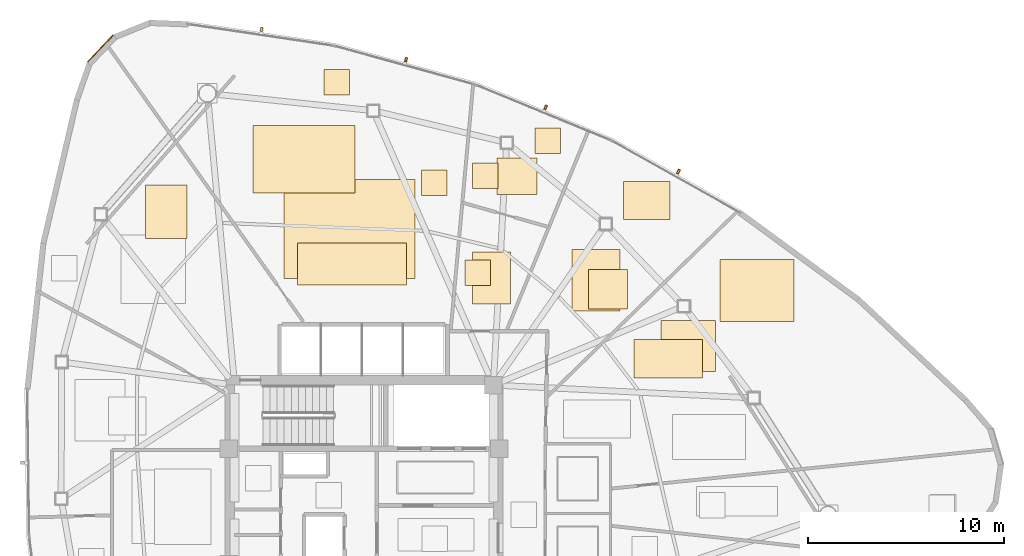
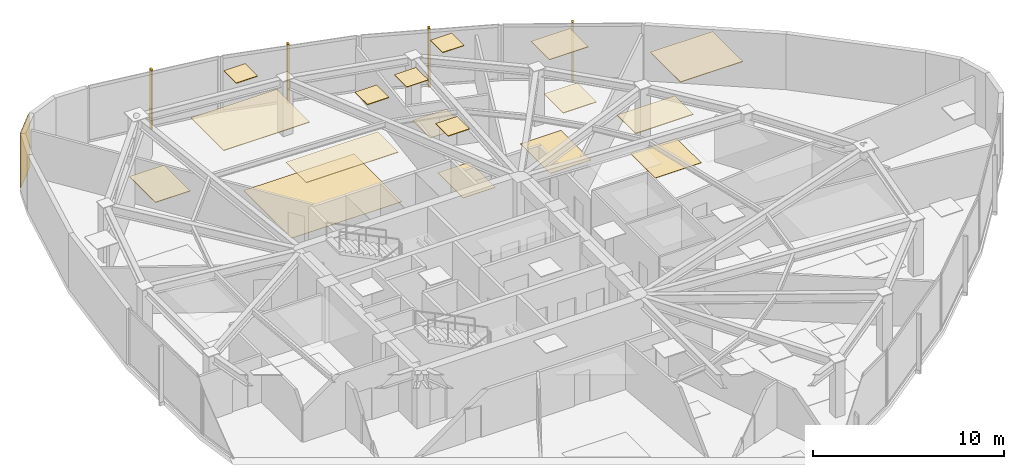
# One storey, part 18 of 18: 18 coverings, 4 shading devices.
"""IFC4 building model written with IfcOpenShell, lengths in metres."""

from ifc_helpers import new_model, si_unit, direction, frame, origin, origin_2d, place, context, subcontext, project, spatial, polyline, rectangle, outline, extrude, source, transform, mapped, material, layer, layer_set, type_object, type_shapes, element, save


model = new_model("IFC4")

# Units and contexts
model_context = context("Model", 3, precision=1e-05, world=origin(), true_north=direction((0.0, 1.0)))
body_context = subcontext(model_context, "Body", "Model", "MODEL_VIEW")
ifc_project = project(units=[si_unit("LENGTHUNIT", "METRE"), si_unit("AREAUNIT", "SQUARE_METRE"), si_unit("VOLUMEUNIT", "CUBIC_METRE"), si_unit("PLANEANGLEUNIT", "RADIAN"), si_unit("MASSUNIT", "GRAM", prefix="KILO")], contexts=[model_context])

# Site, building, storey
site_placement = place(None, origin())
site = spatial("IfcSite", under=ifc_project, at=site_placement, CompositionType="ELEMENT")
building_placement = place(site_placement, origin())
building = spatial("IfcBuilding", under=site, at=building_placement, Name="Tavelor Broadcast Tower", CompositionType="ELEMENT")
storey_placement = place(building_placement, frame((0.0, 0.0, 177.199951171875)))
storey = spatial("IfcBuildingStorey", under=building, at=storey_placement, Name="L42", CompositionType="ELEMENT", Elevation=177.199951171875)

# Coverings
ifc_material_1 = material(Name="Copper-Bronze Anodized Aluminium", Category="aluminium")
ifc_layer_1 = layer(ifc_material_1, 0.050048828125)
ifc_layer_set_1 = layer_set([ifc_layer_1], Name="Copper-Bronze Anodized Aluminium")
covering_type_1 = type_object("IfcCoveringType", Name="Champagne-Bronze Corner Pier Metal Cladding 50 mm", PredefinedType="CLADDING", material=ifc_layer_set_1)
covering_1_placement = place(storey_placement, frame((36.548828125, 68.37158203125, 0.02001953125), z_axis=(0.0, 0.0, 1.0), x_axis=(-0.690251240234, -0.723569779188, 0.0)))
element("IfcCovering", 1, at=covering_1_placement, inside=storey, type_object=covering_type_1, Name="L42 Champagne-Bronze Corner Cladding 03", PredefinedType="CLADDING", context=body_context, shape_type="SweptSolid", body=[
    extrude(rectangle(XDim=1.876220703125, YDim=0.050048828125, at=origin_2d()), origin(), (0.0, 0.0, 1.0), 3.510009765625),
])
ifc_material_2 = material(Name="Acoustic Nylon Carpet Tile")
ifc_layer_2 = layer(ifc_material_2, 0.02001953125)
ifc_layer_set_2 = layer_set([ifc_layer_2], Name="Acoustic Nylon Carpet Tile")
covering_type_2 = type_object("IfcCoveringType", Name="Heavy-Duty Acoustic Broadcast Carpet Tile 20 mm", PredefinedType="FLOORING", material=ifc_layer_set_2)
covering_2_placement = place(storey_placement, origin())
element("IfcCovering", 2, at=covering_2_placement, inside=storey, type_object=covering_type_2, Name="L42 Broadcast Floor Finish 0625", PredefinedType="FLOORING", context=body_context, shape_type="SweptSolid", body=[
    extrude(outline(polyline([(45.91796875, 56.648193359375), (52.59912109375, 56.648193359375), (52.59912109375, 61.678466796875), (45.91796875, 61.678466796875), (45.91796875, 56.648193359375)])), origin(), (0.0, 0.0, 1.0), 0.02001953125),
])
covering_3_placement = place(storey_placement, origin())
element("IfcCovering", 3, at=covering_3_placement, inside=storey, type_object=covering_type_2, Name="L42 Broadcast Floor Finish 0626", PredefinedType="FLOORING", context=body_context, shape_type="SweptSolid", body=[
    extrude(outline(polyline([(56.779541015625, 60.932373046875), (58.8388671875, 60.932373046875), (58.8388671875, 62.79638671875), (56.779541015625, 62.79638671875), (56.779541015625, 60.932373046875)])), origin(), (0.0, 0.0, 1.0), 0.02001953125),
])
covering_4_placement = place(storey_placement, origin())
element("IfcCovering", 4, at=covering_4_placement, inside=storey, type_object=covering_type_2, Name="L42 Broadcast Floor Finish 0627", PredefinedType="FLOORING", context=body_context, shape_type="SweptSolid", body=[
    extrude(outline(polyline([(60.606201171875, 54.987548828125), (63.064453125, 54.987548828125), (63.064453125, 58.12353515625), (60.606201171875, 58.12353515625), (60.606201171875, 54.987548828125)])), origin(), (0.0, 0.0, 1.0), 0.02001953125),
])
covering_5_placement = place(storey_placement, origin())
element("IfcCovering", 5, at=covering_5_placement, inside=storey, type_object=covering_type_2, Name="L42 Broadcast Floor Finish 0628", PredefinedType="FLOORING", context=body_context, shape_type="SweptSolid", body=[
    extrude(outline(polyline([(65.159423828125, 51.88720703125), (67.94091796875, 51.88720703125), (67.94091796875, 54.486328125), (65.159423828125, 54.486328125), (65.159423828125, 51.88720703125)])), origin(), (0.0, 0.0, 1.0), 0.02001953125),
])
covering_6_placement = place(storey_placement, origin())
element("IfcCovering", 6, at=covering_6_placement, inside=storey, type_object=covering_type_2, Name="L42 Broadcast Floor Finish 0633", PredefinedType="FLOORING", context=body_context, shape_type="SweptSolid", body=[
    extrude(outline(polyline([(55.53271484375, 55.328125), (57.483154296875, 55.328125), (57.483154296875, 58.003662109375), (55.53271484375, 58.003662109375), (55.53271484375, 55.328125)])), origin(), (0.0, 0.0, 1.0), 0.02001953125),
])
ifc_material_3 = material(Name="Acoustic Mineral Fibre Tile")
ifc_layer_3 = layer(ifc_material_3, 0.0400390625)
ifc_layer_set_3 = layer_set([ifc_layer_3], Name="Acoustic Mineral Fibre Tile")
covering_type_3 = type_object("IfcCoveringType", Name="Suspended Acoustic Mineral-Fibre Office Ceiling 40 mm", PredefinedType="CEILING", material=ifc_layer_set_3)
covering_7_placement = place(storey_placement, frame((0.0, 0.0, 3.510009765625)))
element("IfcCovering", 7, at=covering_7_placement, inside=storey, type_object=covering_type_3, Name="L42 Suspended Acoustic Ceiling 1757", PredefinedType="CEILING", context=body_context, shape_type="SweptSolid", body=[
    extrude(outline(polyline([(38.86083984375, 58.68115234375), (40.9658203125, 58.68115234375), (40.9658203125, 61.410400390625), (38.86083984375, 61.410400390625), (38.86083984375, 58.68115234375)])), origin(), (0.0, 0.0, 1.0), 0.0400390625),
])
covering_8_placement = place(storey_placement, frame((0.0, 0.0, 3.510009765625)))
element("IfcCovering", 8, at=covering_8_placement, inside=storey, type_object=covering_type_3, Name="L42 Suspended Acoustic Ceiling 1758", PredefinedType="CEILING", context=body_context, shape_type="SweptSolid", body=[
    extrude(outline(polyline([(47.97119140625, 66.0), (49.271240234375, 66.0), (49.271240234375, 67.300048828125), (47.97119140625, 67.300048828125), (47.97119140625, 66.0)])), origin(), (0.0, 0.0, 1.0), 0.0400390625),
])
covering_9_placement = place(storey_placement, frame((0.0, 0.0, 3.510009765625)))
element("IfcCovering", 9, at=covering_9_placement, inside=storey, type_object=covering_type_3, Name="L42 Suspended Acoustic Ceiling 1759", PredefinedType="CEILING", context=body_context, shape_type="SweptSolid", body=[
    extrude(outline(polyline([(52.942626953125, 60.87060546875), (54.24267578125, 60.87060546875), (54.24267578125, 62.170654296875), (52.942626953125, 62.170654296875), (52.942626953125, 60.87060546875)])), origin(), (0.0, 0.0, 1.0), 0.0400390625),
])
covering_10_placement = place(storey_placement, frame((0.0, 0.0, 3.510009765625)))
element("IfcCovering", 10, at=covering_10_placement, inside=storey, type_object=covering_type_3, Name="L42 Suspended Acoustic Ceiling 1760", PredefinedType="CEILING", context=body_context, shape_type="SweptSolid", body=[
    extrude(outline(polyline([(46.611328125, 56.301025390625), (52.16796875, 56.301025390625), (52.16796875, 58.44970703125), (46.611328125, 58.44970703125), (46.611328125, 56.301025390625)])), origin(), (0.0, 0.0, 1.0), 0.0400390625),
])
covering_11_placement = place(storey_placement, frame((0.0, 0.0, 3.510009765625)))
element("IfcCovering", 11, at=covering_11_placement, inside=storey, type_object=covering_type_3, Name="L42 Suspended Acoustic Ceiling 1761", PredefinedType="CEILING", context=body_context, shape_type="SweptSolid", body=[
    extrude(outline(polyline([(44.328857421875, 60.99951171875), (49.534912109375, 60.99951171875), (49.534912109375, 64.4462890625), (44.328857421875, 64.4462890625), (44.328857421875, 60.99951171875)])), origin(), (0.0, 0.0, 1.0), 0.0400390625),
])
covering_12_placement = place(storey_placement, frame((0.0, 0.0, 3.510009765625)))
element("IfcCovering", 12, at=covering_12_placement, inside=storey, type_object=covering_type_3, Name="L42 Suspended Acoustic Ceiling 1762", PredefinedType="CEILING", context=body_context, shape_type="SweptSolid", body=[
    extrude(outline(polyline([(55.527099609375, 61.2255859375), (56.8271484375, 61.2255859375), (56.8271484375, 62.525390625), (55.527099609375, 62.525390625), (55.527099609375, 61.2255859375)])), origin(), (0.0, 0.0, 1.0), 0.0400390625),
])
covering_13_placement = place(storey_placement, frame((0.0, 0.0, 3.510009765625)))
element("IfcCovering", 13, at=covering_13_placement, inside=storey, type_object=covering_type_3, Name="L42 Suspended Acoustic Ceiling 1763", PredefinedType="CEILING", context=body_context, shape_type="SweptSolid", body=[
    extrude(outline(polyline([(58.7294921875, 63.011962890625), (60.029296875, 63.011962890625), (60.029296875, 64.31201171875), (58.7294921875, 64.31201171875), (58.7294921875, 63.011962890625)])), origin(), (0.0, 0.0, 1.0), 0.0400390625),
])
covering_14_placement = place(storey_placement, frame((0.0, 0.0, 3.510009765625)))
element("IfcCovering", 14, at=covering_14_placement, inside=storey, type_object=covering_type_3, Name="L42 Suspended Acoustic Ceiling 1764", PredefinedType="CEILING", context=body_context, shape_type="SweptSolid", body=[
    extrude(outline(polyline([(63.2421875, 59.655517578125), (65.604248046875, 59.655517578125), (65.604248046875, 61.58837890625), (63.2421875, 61.58837890625), (63.2421875, 59.655517578125)])), origin(), (0.0, 0.0, 1.0), 0.0400390625),
])
covering_15_placement = place(storey_placement, frame((0.0, 0.0, 3.510009765625)))
element("IfcCovering", 15, at=covering_15_placement, inside=storey, type_object=covering_type_3, Name="L42 Suspended Acoustic Ceiling 1765", PredefinedType="CEILING", context=body_context, shape_type="SweptSolid", body=[
    extrude(outline(polyline([(61.44189453125, 55.076904296875), (63.4501953125, 55.076904296875), (63.4501953125, 57.08984375), (61.44189453125, 57.08984375), (61.44189453125, 55.076904296875)])), origin(), (0.0, 0.0, 1.0), 0.0400390625),
])
covering_16_placement = place(storey_placement, frame((0.0, 0.0, 3.510009765625)))
element("IfcCovering", 16, at=covering_16_placement, inside=storey, type_object=covering_type_3, Name="L42 Suspended Acoustic Ceiling 1767", PredefinedType="CEILING", context=body_context, shape_type="SweptSolid", body=[
    extrude(outline(polyline([(63.7802734375, 51.56298828125), (67.27490234375, 51.56298828125), (67.27490234375, 53.514404296875), (63.7802734375, 53.514404296875), (63.7802734375, 51.56298828125)])), origin(), (0.0, 0.0, 1.0), 0.0400390625),
])
covering_17_placement = place(storey_placement, frame((0.0, 0.0, 3.510009765625)))
element("IfcCovering", 17, at=covering_17_placement, inside=storey, type_object=covering_type_3, Name="L42 Suspended Acoustic Ceiling 1768", PredefinedType="CEILING", context=body_context, shape_type="SweptSolid", body=[
    extrude(outline(polyline([(68.16455078125, 54.45166015625), (71.93359375, 54.45166015625), (71.93359375, 57.609130859375), (68.16455078125, 57.609130859375), (68.16455078125, 54.45166015625)])), origin(), (0.0, 0.0, 1.0), 0.0400390625),
])
covering_18_placement = place(storey_placement, frame((0.0, 0.0, 3.510009765625)))
element("IfcCovering", 18, at=covering_18_placement, inside=storey, type_object=covering_type_3, Name="L42 Suspended Acoustic Ceiling 1780", PredefinedType="CEILING", context=body_context, shape_type="SweptSolid", body=[
    extrude(outline(polyline([(55.165283203125, 56.272705078125), (56.46533203125, 56.272705078125), (56.46533203125, 57.572509765625), (55.165283203125, 57.572509765625), (55.165283203125, 56.272705078125)])), origin(), (0.0, 0.0, 1.0), 0.0400390625),
])

# Shading devices
ifc_material_4 = material(Name="Kiln-Fired Glazed Terracotta", Category="masonry")
shading_device_type = type_object("IfcShadingDeviceType", Name="Extruded Terracotta Baguette Sun-Screen 110x240", PredefinedType="JALOUSIE", material=ifc_material_4)
shared_shape = source(origin(), body_context, "Body", "SweptSolid", [
    extrude(rectangle(XDim=0.110107421875, YDim=0.239990234375, at=origin_2d()), origin(), (0.0, 0.0, 1.0), 3.7900390625),
])
type_shapes(shading_device_type, [shared_shape])
for number, where, z_axis, x_axis, name in (
    (19, (66.0458984375, 62.098388671875, -0.260009765625), (0.0, 0.0, 1.0), (-0.872240046001, 0.489078012338, 0.0), "L42 Terracotta Baguette Fin 441"),
    (20, (59.26904296875, 65.374267578125, -0.260009765625), (0.0, 0.0, 1.0), (-0.925077206834, 0.379779095522, 0.0), "L42 Terracotta Baguette Fin 442"),
    (21, (52.145751953125, 67.805908203125, -0.260009765625), (0.0, 0.0, 1.0), (-0.96423431693, 0.265051281935, 0.0), "L42 Terracotta Baguette Fin 443"),
    (22, (44.780517578125, 69.35791015625, -0.260009765625), (0.0, 0.0, 1.0), (-0.989221280098, 0.146428340844, 0.0), "L42 Terracotta Baguette Fin 444"),
):
    element("IfcShadingDevice", number, at=place(storey_placement, frame(where, z_axis=z_axis, x_axis=x_axis)), inside=storey, type_object=shading_device_type, Name=name, PredefinedType="JALOUSIE", context=body_context, shape_type="MappedRepresentation", body=[
        mapped(shared_shape, transform((0.0, 0.0, 0.0), scale=1.0)),
    ])

save(model, "model.ifc")
